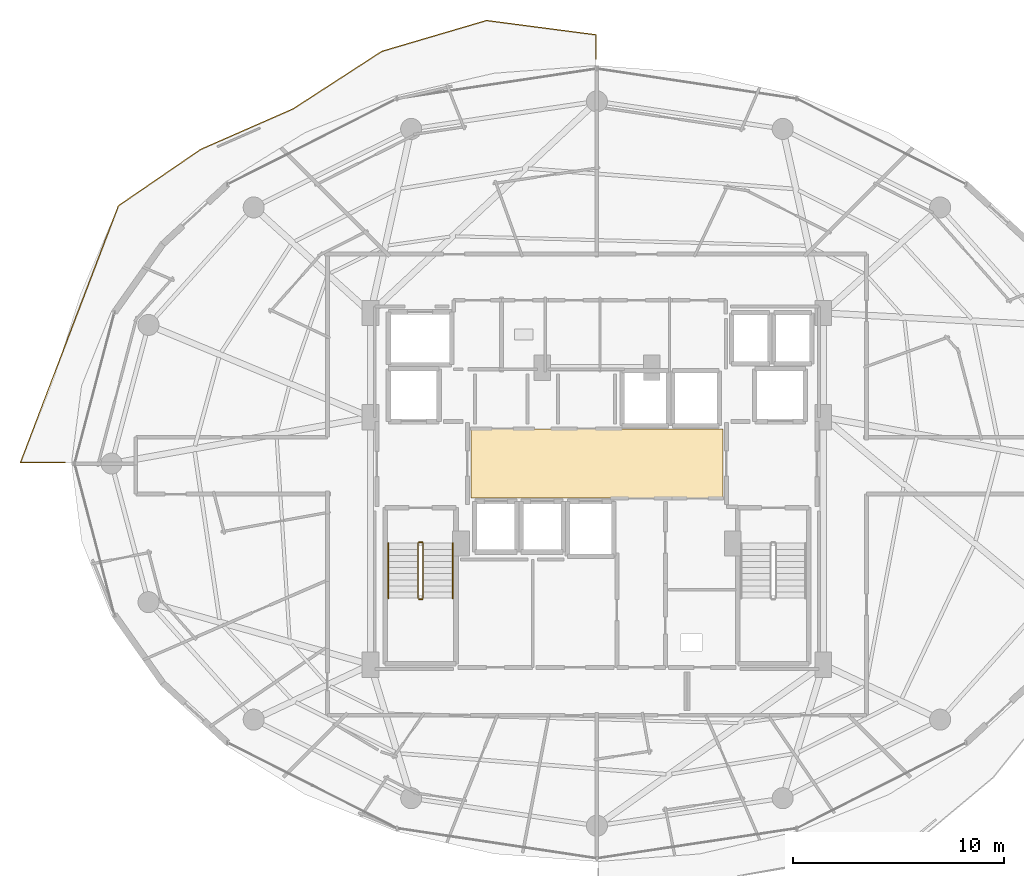
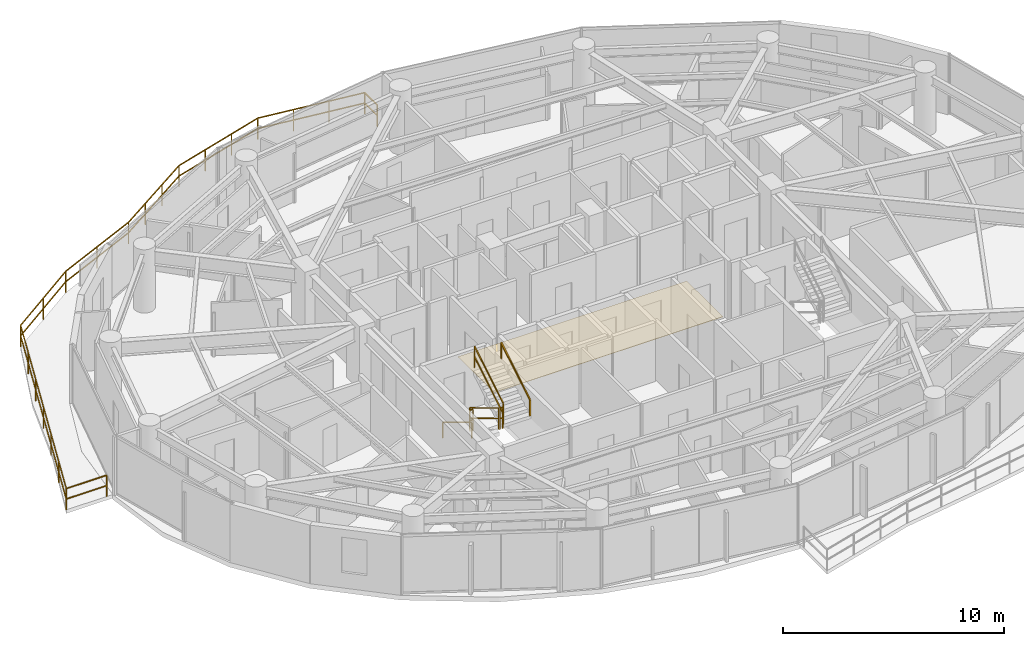
# One storey, part 28 of 31: 8 railings, 1 covering.
"""IFC4 building model written with IfcOpenShell, lengths in metres."""

from ifc_helpers import new_model, si_unit, direction, frame, origin, origin_2d, place, context, subcontext, project, spatial, polyline, rectangle, outline, extrude, material, layer, layer_set, type_object, element, save


model = new_model("IFC4")

# Units and contexts
model_context = context("Model", 3, precision=1e-05, world=origin(), true_north=direction((0.0, 1.0)))
body_context = subcontext(model_context, "Body", "Model", "MODEL_VIEW")
ifc_project = project(units=[si_unit("LENGTHUNIT", "METRE"), si_unit("AREAUNIT", "SQUARE_METRE"), si_unit("VOLUMEUNIT", "CUBIC_METRE"), si_unit("PLANEANGLEUNIT", "RADIAN"), si_unit("MASSUNIT", "GRAM", prefix="KILO")], contexts=[model_context])

# Site, building, storey
site_placement = place(None, origin())
site = spatial("IfcSite", under=ifc_project, at=site_placement, CompositionType="ELEMENT")
building_placement = place(site_placement, origin())
building = spatial("IfcBuilding", under=site, at=building_placement, Name="Vorneva Point Tower", CompositionType="ELEMENT")
storey_placement = place(building_placement, frame((0.0, 0.0, 132.60009765625)))
storey = spatial("IfcBuildingStorey", under=building, at=storey_placement, Name="L35", CompositionType="ELEMENT", Elevation=132.60009765625)

# Covering
ifc_material_1 = material(Name="Acoustic wool hospitality carpet", Category="textile")
ifc_layer = layer(ifc_material_1, 0.01806640625)
ifc_layer_set = layer_set([ifc_layer], Name="Acoustic wool hospitality carpet")
covering_type = type_object("IfcCoveringType", Name="COV-FLR-CRP", PredefinedType="FLOORING", material=ifc_layer_set)
covering_placement = place(storey_placement, frame((0.0, 0.0, -0.005126953125)))
element("IfcCovering", 1, at=covering_placement, inside=storey, type_object=covering_type, Name="L35 Lift Lobby Floor Finish", PredefinedType="FLOORING", context=body_context, shape_type="SweptSolid", body=[
    extrude(outline(polyline([(32.02001953125, 24.3701171875), (43.97998046875, 24.3701171875), (43.97998046875, 27.6298828125), (32.02001953125, 27.6298828125), (32.02001953125, 24.3701171875)])), origin(), (0.0, 0.0, 1.0), 0.02294921875),
])

# Railings
ifc_material_2 = material(Name="Pale anodised aluminium", Category="aluminium")
railing_type_1 = type_object("IfcRailingType", Name="RL-BAL-1200", PredefinedType="BALUSTRADE", material=ifc_material_2)
railing_1_placement = place(storey_placement, frame((10.624755859375, 26.050048828125, 0.0)))
element("IfcRailing", 2, at=railing_1_placement, inside=storey, type_object=railing_type_1, Name="L35 Wave Balcony Balustrade NW.1", PredefinedType="BALUSTRADE", context=body_context, shape_type="SweptSolid", body=[
    extrude(rectangle(XDim=0.048095703125, YDim=0.048095703125, at=origin_2d()), frame((0.0, 0.0, 1.17578125), z_axis=(1.0, 0.0, 0.0), x_axis=(0.0, 1.0, 0.0)), (0.0, 0.0, 1.0), 2.109130859375),
    extrude(rectangle(XDim=0.048095703125, YDim=0.048095703125, at=origin_2d()), frame((0.0, 0.0, 0.60009765625), z_axis=(1.0, 0.0, 0.0), x_axis=(0.0, 1.0, 0.0)), (0.0, 0.0, 1.0), 2.109130859375),
    extrude(rectangle(XDim=0.0419921875, YDim=0.0419921875, at=origin_2d()), origin(), (0.0, 0.0, 1.0), 1.15185546875),
    extrude(rectangle(XDim=0.0419921875, YDim=0.0419921875, at=origin_2d()), frame((2.109130859375, 0.0, 0.0)), (0.0, 0.0, 1.0), 1.15185546875),
])
railing_2_placement = place(storey_placement, frame((37.949951171875, 45.21728515625, 0.0)))
element("IfcRailing", 3, at=railing_2_placement, inside=storey, type_object=railing_type_1, Name="L35 Wave Balcony Balustrade NW.2", PredefinedType="BALUSTRADE", context=body_context, shape_type="SweptSolid", body=[
    extrude(rectangle(XDim=0.048095703125, YDim=0.048095703125, at=origin_2d()), frame((0.0, 0.0, 1.17578125), z_axis=(0.0, 1.0, 0.0), x_axis=(-1.0, 0.0, 0.0)), (0.0, 0.0, 1.0), 1.144287109375),
    extrude(rectangle(XDim=0.048095703125, YDim=0.048095703125, at=origin_2d()), frame((0.0, 0.0, 0.60009765625), z_axis=(0.0, 1.0, 0.0), x_axis=(-1.0, 0.0, 0.0)), (0.0, 0.0, 1.0), 1.144287109375),
    extrude(rectangle(XDim=0.048095703125, YDim=0.048095703125, at=origin_2d()), frame((0.0, 1.144287109375, 1.17578125), z_axis=(-0.991566856658, 0.129596175786, 0.0), x_axis=(-0.129596175786, -0.991566856658, 0.0)), (0.0, 0.0, 1.0), 5.239013671875),
    extrude(rectangle(XDim=0.048095703125, YDim=0.048095703125, at=origin_2d()), frame((0.0, 1.144287109375, 0.60009765625), z_axis=(-0.991566856658, 0.129596175786, 0.0), x_axis=(-0.129596175786, -0.991566856658, 0.0)), (0.0, 0.0, 1.0), 5.239013671875),
    extrude(rectangle(XDim=0.048095703125, YDim=0.048095703125, at=origin_2d()), frame((-5.19482421875, 1.8232421875, 1.17578125), z_axis=(-0.959248296975, -0.282564514317, 0.0), x_axis=(0.282564514317, -0.959248296975, 0.0)), (0.0, 0.0, 1.0), 5.177978515625),
    extrude(rectangle(XDim=0.048095703125, YDim=0.048095703125, at=origin_2d()), frame((-5.19482421875, 1.8232421875, 0.60009765625), z_axis=(-0.959248296975, -0.282564514317, 0.0), x_axis=(0.282564514317, -0.959248296975, 0.0)), (0.0, 0.0, 1.0), 5.177978515625),
    extrude(rectangle(XDim=0.048095703125, YDim=0.048095703125, at=origin_2d()), frame((-10.161865234375, 0.360107421875, 1.17578125), z_axis=(-0.83915052471, -0.543899252508, 0.0), x_axis=(0.543899252508, -0.83915052471, 0.0)), (0.0, 0.0, 1.0), 5.029052734375),
    extrude(rectangle(XDim=0.048095703125, YDim=0.048095703125, at=origin_2d()), frame((-10.161865234375, 0.360107421875, 0.60009765625), z_axis=(-0.83915052471, -0.543899252508, 0.0), x_axis=(0.543899252508, -0.83915052471, 0.0)), (0.0, 0.0, 1.0), 5.029052734375),
    extrude(rectangle(XDim=0.048095703125, YDim=0.048095703125, at=origin_2d()), frame((-14.382080078125, -2.375244140625, 1.17578125), z_axis=(-0.915871720888, -0.401471033672, 0.0), x_axis=(0.401471033672, -0.915871720888, 0.0)), (0.0, 0.0, 1.0), 4.790771484375),
    extrude(rectangle(XDim=0.048095703125, YDim=0.048095703125, at=origin_2d()), frame((-14.382080078125, -2.375244140625, 0.60009765625), z_axis=(-0.915871720888, -0.401471033672, 0.0), x_axis=(0.401471033672, -0.915871720888, 0.0)), (0.0, 0.0, 1.0), 4.790771484375),
    extrude(rectangle(XDim=0.048095703125, YDim=0.048095703125, at=origin_2d()), frame((-18.769775390625, -4.298583984375, 1.17578125), z_axis=(-0.82490073381, -0.565277612647, 0.0), x_axis=(0.565277612647, -0.82490073381, 0.0)), (0.0, 0.0, 1.0), 4.73095703125),
    extrude(rectangle(XDim=0.048095703125, YDim=0.048095703125, at=origin_2d()), frame((-18.769775390625, -4.298583984375, 0.60009765625), z_axis=(-0.82490073381, -0.565277612647, 0.0), x_axis=(0.565277612647, -0.82490073381, 0.0)), (0.0, 0.0, 1.0), 4.73095703125),
    extrude(rectangle(XDim=0.048095703125, YDim=0.048095703125, at=origin_2d()), frame((-22.67236328125, -6.972900390625, 1.17578125), z_axis=(-0.356488435128, -0.934299735428, 0.0), x_axis=(0.934299735428, -0.356488435128, 0.0)), (0.0, 0.0, 1.0), 13.0517578125),
    extrude(rectangle(XDim=0.048095703125, YDim=0.048095703125, at=origin_2d()), frame((-22.67236328125, -6.972900390625, 0.60009765625), z_axis=(-0.356488435128, -0.934299735428, 0.0), x_axis=(0.934299735428, -0.356488435128, 0.0)), (0.0, 0.0, 1.0), 13.0517578125),
    extrude(rectangle(XDim=0.0419921875, YDim=0.0419921875, at=origin_2d()), origin(), (0.0, 0.0, 1.0), 1.15185546875),
    extrude(rectangle(XDim=0.0419921875, YDim=0.0419921875, at=origin_2d()), frame((0.0, 1.144287109375, 0.0)), (0.0, 0.0, 1.0), 1.15185546875),
    extrude(rectangle(XDim=0.0419921875, YDim=0.0419921875, at=origin_2d()), frame((-1.731689453125, 1.37060546875, 0.0)), (0.0, 0.0, 1.0), 1.15185546875),
    extrude(rectangle(XDim=0.0419921875, YDim=0.0419921875, at=origin_2d()), frame((-3.463134765625, 1.596923828125, 0.0)), (0.0, 0.0, 1.0), 1.15185546875),
    extrude(rectangle(XDim=0.0419921875, YDim=0.0419921875, at=origin_2d()), frame((-5.19482421875, 1.8232421875, 0.0)), (0.0, 0.0, 1.0), 1.15185546875),
    extrude(rectangle(XDim=0.0419921875, YDim=0.0419921875, at=origin_2d()), frame((-6.8505859375, 1.33544921875, 0.0)), (0.0, 0.0, 1.0), 1.15185546875),
    extrude(rectangle(XDim=0.0419921875, YDim=0.0419921875, at=origin_2d()), frame((-8.506103515625, 0.847900390625, 0.0)), (0.0, 0.0, 1.0), 1.15185546875),
    extrude(rectangle(XDim=0.0419921875, YDim=0.0419921875, at=origin_2d()), frame((-10.161865234375, 0.360107421875, 0.0)), (0.0, 0.0, 1.0), 1.15185546875),
    extrude(rectangle(XDim=0.0419921875, YDim=0.0419921875, at=origin_2d()), frame((-11.568603515625, -0.5517578125, 0.0)), (0.0, 0.0, 1.0), 1.15185546875),
    extrude(rectangle(XDim=0.0419921875, YDim=0.0419921875, at=origin_2d()), frame((-12.975341796875, -1.46337890625, 0.0)), (0.0, 0.0, 1.0), 1.15185546875),
    extrude(rectangle(XDim=0.0419921875, YDim=0.0419921875, at=origin_2d()), frame((-14.382080078125, -2.375244140625, 0.0)), (0.0, 0.0, 1.0), 1.15185546875),
    extrude(rectangle(XDim=0.0419921875, YDim=0.0419921875, at=origin_2d()), frame((-16.575927734375, -3.3369140625, 0.0)), (0.0, 0.0, 1.0), 1.15185546875),
    extrude(rectangle(XDim=0.0419921875, YDim=0.0419921875, at=origin_2d()), frame((-18.769775390625, -4.298583984375, 0.0)), (0.0, 0.0, 1.0), 1.15185546875),
    extrude(rectangle(XDim=0.0419921875, YDim=0.0419921875, at=origin_2d()), frame((-20.72119140625, -5.6357421875, 0.0)), (0.0, 0.0, 1.0), 1.15185546875),
    extrude(rectangle(XDim=0.0419921875, YDim=0.0419921875, at=origin_2d()), frame((-22.67236328125, -6.972900390625, 0.0)), (0.0, 0.0, 1.0), 1.15185546875),
    extrude(rectangle(XDim=0.0419921875, YDim=0.0419921875, at=origin_2d()), frame((-23.44775390625, -9.00537109375, 0.0)), (0.0, 0.0, 1.0), 1.15185546875),
    extrude(rectangle(XDim=0.0419921875, YDim=0.0419921875, at=origin_2d()), frame((-24.223388671875, -11.03759765625, 0.0)), (0.0, 0.0, 1.0), 1.15185546875),
    extrude(rectangle(XDim=0.0419921875, YDim=0.0419921875, at=origin_2d()), frame((-24.998779296875, -13.070068359375, 0.0)), (0.0, 0.0, 1.0), 1.15185546875),
    extrude(rectangle(XDim=0.0419921875, YDim=0.0419921875, at=origin_2d()), frame((-25.774169921875, -15.1025390625, 0.0)), (0.0, 0.0, 1.0), 1.15185546875),
    extrude(rectangle(XDim=0.0419921875, YDim=0.0419921875, at=origin_2d()), frame((-26.5498046875, -17.134765625, 0.0)), (0.0, 0.0, 1.0), 1.15185546875),
    extrude(rectangle(XDim=0.0419921875, YDim=0.0419921875, at=origin_2d()), frame((-27.3251953125, -19.167236328125, 0.0)), (0.0, 0.0, 1.0), 1.15185546875),
])
ifc_material_3 = material(Name="Brushed stainless steel S304", Category="steel")
railing_type_2 = type_object("IfcRailingType", Name="RL-HND-920", PredefinedType="HANDRAIL", material=ifc_material_3)
railing_3_placement = place(storey_placement, frame((28.10009765625, 22.219970703125, 0.1748046875)))
element("IfcRailing", 4, at=railing_3_placement, inside=storey, type_object=railing_type_2, Name="L35 ST1 stair handrail 1", PredefinedType="HANDRAIL", context=body_context, shape_type="SweptSolid", body=[
    extrude(rectangle(XDim=0.048095703125, YDim=0.048095703125, at=origin_2d()), frame((0.0, 0.0, 0.8759765625), z_axis=(0.0, -0.856147343639, 0.516731773728), x_axis=(1.0, 0.0, 0.0)), (0.0, 0.0, 1.0), 3.04833984375),
    extrude(rectangle(XDim=0.0419921875, YDim=0.0419921875, at=origin_2d()), origin(), (0.0, 0.0, 1.0), 0.851806640625),
    extrude(rectangle(XDim=0.0419921875, YDim=0.0419921875, at=origin_2d()), frame((0.0, -2.60986328125, 1.5751953125)), (0.0, 0.0, 1.0), 0.851806640625),
])
railing_4_placement = place(storey_placement, frame((31.14990234375, 19.610107421875, 1.9248046875)))
element("IfcRailing", 5, at=railing_4_placement, inside=storey, type_object=railing_type_2, Name="L35 ST1 stair handrail 2", PredefinedType="HANDRAIL", context=body_context, shape_type="SweptSolid", body=[
    extrude(rectangle(XDim=0.048095703125, YDim=0.048095703125, at=origin_2d()), frame((0.0, 0.0, 0.8759765625), z_axis=(0.0, 0.856147343639, 0.516731773728), x_axis=(-1.0, 0.0, 0.0)), (0.0, 0.0, 1.0), 3.04833984375),
    extrude(rectangle(XDim=0.0419921875, YDim=0.0419921875, at=origin_2d()), origin(), (0.0, 0.0, 1.0), 0.851806640625),
    extrude(rectangle(XDim=0.0419921875, YDim=0.0419921875, at=origin_2d()), frame((0.0, 2.60986328125, 1.5751953125)), (0.0, 0.0, 1.0), 0.851806640625),
])
railing_type_3 = type_object("IfcRailingType", Name="RL-STG-1100", PredefinedType="GUARDRAIL", material=ifc_material_3)
railing_5_placement = place(storey_placement, frame((29.5, 22.219970703125, 0.1748046875)))
element("IfcRailing", 6, at=railing_5_placement, inside=storey, type_object=railing_type_3, Name="L35 ST1 stair guard 1", PredefinedType="GUARDRAIL", context=body_context, shape_type="SweptSolid", body=[
    extrude(rectangle(XDim=0.048095703125, YDim=0.048095703125, at=origin_2d()), frame((0.0, 0.0, 1.17578125), z_axis=(0.0, -0.856147343639, 0.516731773728), x_axis=(1.0, 0.0, 0.0)), (0.0, 0.0, 1.0), 3.04833984375),
    extrude(rectangle(XDim=0.048095703125, YDim=0.048095703125, at=origin_2d()), frame((0.0, 0.0, 0.60009765625), z_axis=(0.0, -0.856147343639, 0.516731773728), x_axis=(1.0, 0.0, 0.0)), (0.0, 0.0, 1.0), 3.04833984375),
    extrude(rectangle(XDim=0.0419921875, YDim=0.0419921875, at=origin_2d()), origin(), (0.0, 0.0, 1.0), 1.15185546875),
    extrude(rectangle(XDim=0.0419921875, YDim=0.0419921875, at=origin_2d()), frame((0.0, -2.60986328125, 1.5751953125)), (0.0, 0.0, 1.0), 1.15185546875),
])
railing_6_placement = place(storey_placement, frame((29.550048828125, 19.56005859375, 1.75)))
element("IfcRailing", 7, at=railing_6_placement, inside=storey, type_object=railing_type_3, Name="L35 ST1 stair guard 2", PredefinedType="GUARDRAIL", context=body_context, shape_type="SweptSolid", body=[
    extrude(rectangle(XDim=0.048095703125, YDim=0.048095703125, at=origin_2d()), frame((0.0, 0.0, 1.17578125), z_axis=(1.0, 0.0, 0.0), x_axis=(0.0, 1.0, 0.0)), (0.0, 0.0, 1.0), 0.14990234375),
    extrude(rectangle(XDim=0.048095703125, YDim=0.048095703125, at=origin_2d()), frame((0.0, 0.0, 0.60009765625), z_axis=(1.0, 0.0, 0.0), x_axis=(0.0, 1.0, 0.0)), (0.0, 0.0, 1.0), 0.14990234375),
    extrude(rectangle(XDim=0.0419921875, YDim=0.0419921875, at=origin_2d()), origin(), (0.0, 0.0, 1.0), 1.15185546875),
    extrude(rectangle(XDim=0.0419921875, YDim=0.0419921875, at=origin_2d()), frame((0.14990234375, 0.0, 0.0)), (0.0, 0.0, 1.0), 1.15185546875),
])
railing_7_placement = place(storey_placement, frame((29.75, 19.610107421875, 1.9248046875)))
element("IfcRailing", 8, at=railing_7_placement, inside=storey, type_object=railing_type_3, Name="L35 ST1 stair guard 3", PredefinedType="GUARDRAIL", context=body_context, shape_type="SweptSolid", body=[
    extrude(rectangle(XDim=0.048095703125, YDim=0.048095703125, at=origin_2d()), frame((0.0, 0.0, 1.17578125), z_axis=(0.0, 0.856147343639, 0.516731773728), x_axis=(-1.0, 0.0, 0.0)), (0.0, 0.0, 1.0), 3.04833984375),
    extrude(rectangle(XDim=0.048095703125, YDim=0.048095703125, at=origin_2d()), frame((0.0, 0.0, 0.60009765625), z_axis=(0.0, 0.856147343639, 0.516731773728), x_axis=(-1.0, 0.0, 0.0)), (0.0, 0.0, 1.0), 3.04833984375),
    extrude(rectangle(XDim=0.0419921875, YDim=0.0419921875, at=origin_2d()), origin(), (0.0, 0.0, 1.0), 1.15185546875),
    extrude(rectangle(XDim=0.0419921875, YDim=0.0419921875, at=origin_2d()), frame((0.0, 2.60986328125, 1.5751953125)), (0.0, 0.0, 1.0), 1.15185546875),
])
railing_8_placement = place(storey_placement, frame((29.550048828125, 22.27001953125, 0.0)))
element("IfcRailing", 9, at=railing_8_placement, inside=storey, type_object=railing_type_3, Name="L35 ST1 stair guard 4", PredefinedType="GUARDRAIL", context=body_context, shape_type="SweptSolid", body=[
    extrude(rectangle(XDim=0.048095703125, YDim=0.048095703125, at=origin_2d()), frame((0.0, 0.0, 1.17578125), z_axis=(1.0, 0.0, 0.0), x_axis=(0.0, 1.0, 0.0)), (0.0, 0.0, 1.0), 0.14990234375),
    extrude(rectangle(XDim=0.048095703125, YDim=0.048095703125, at=origin_2d()), frame((0.0, 0.0, 0.60009765625), z_axis=(1.0, 0.0, 0.0), x_axis=(0.0, 1.0, 0.0)), (0.0, 0.0, 1.0), 0.14990234375),
    extrude(rectangle(XDim=0.0419921875, YDim=0.0419921875, at=origin_2d()), origin(), (0.0, 0.0, 1.0), 1.15185546875),
    extrude(rectangle(XDim=0.0419921875, YDim=0.0419921875, at=origin_2d()), frame((0.14990234375, 0.0, 0.0)), (0.0, 0.0, 1.0), 1.15185546875),
])

save(model, "model.ifc")
